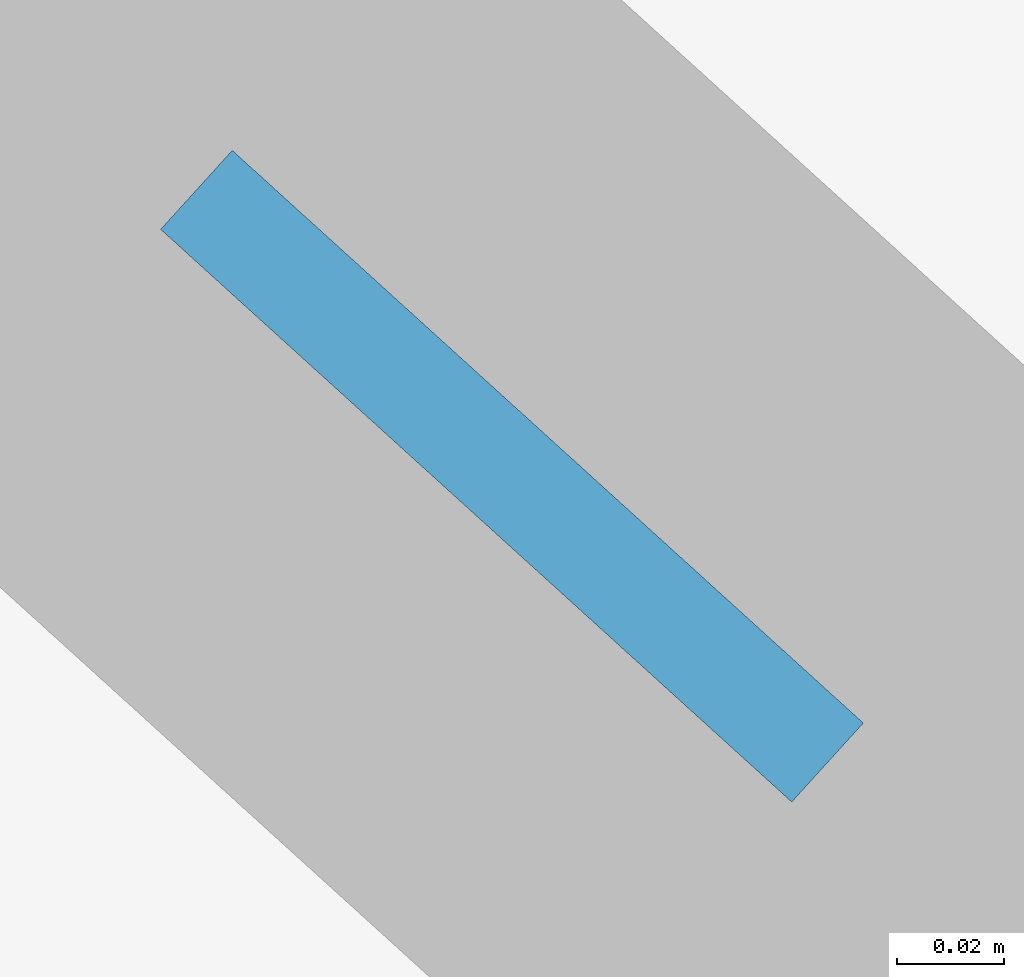
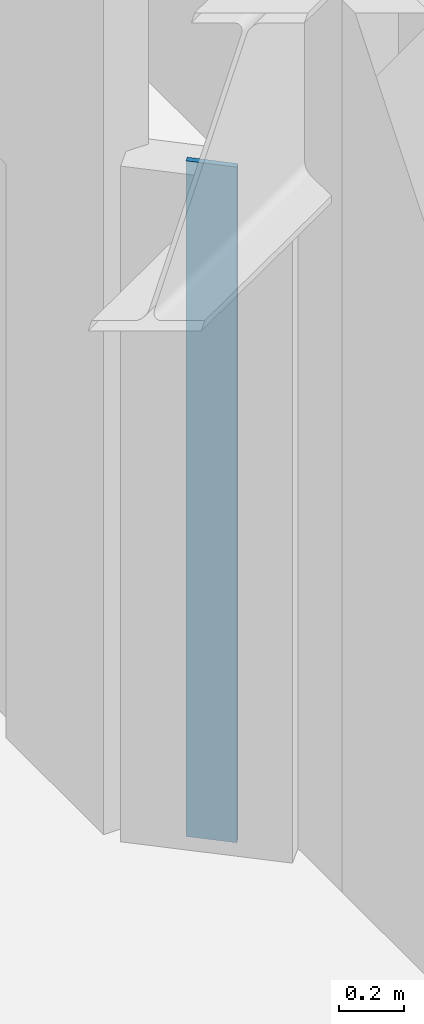
# One storey, part 2 of 9: 1 plate.
"""IFC4 building model written with IfcOpenShell, lengths in metres."""

import ifcopenshell
import ifcopenshell.guid

model = None  # the IFC model being written
_history = None  # IfcOwnerHistory: only IFC2X3 demands one
_inside = {}  # id of a spatial element -> (the spatial element, [elements in it])
_under = {}  # id of a project, library or spatial element -> (it, [spatial elements below it])
_declared = {}  # id of a project -> (the project, [libraries it declares])
_typed = {}  # id of a type object -> (the type object, [elements of that type])
_made_of = {}  # id of a material, layer set ... -> (it, [elements and type objects made of it])


def new_model(schema):
    """Start an empty IFC model of exactly this schema.

    Asked for "IFC4X3", IfcOpenShell would pick the latest addendum, in which some entities
    have other attributes; the version numbers below select the first issue.
    IFC2X3 requires an IfcOwnerHistory on every rooted entity: one is made here for all.
    """
    global model, _history
    if schema == "IFC4X3":
        model = ifcopenshell.file(schema_version=(4, 3, 0, 0))
    else:
        model = ifcopenshell.file(schema=schema)
    _inside.clear()
    _under.clear()
    _declared.clear()
    _typed.clear()
    _made_of.clear()
    _history = None
    if model.schema == "IFC2X3":
        org = make("IfcOrganization", Name="unknown")
        user = make(
            "IfcPersonAndOrganization",
            ThePerson=make("IfcPerson", FamilyName="unknown"),
            TheOrganization=org,
        )
        app = make(
            "IfcApplication",
            ApplicationDeveloper=org,
            Version="unknown",
            ApplicationFullName="unknown",
            ApplicationIdentifier="unknown",
        )
        _history = make(
            "IfcOwnerHistory",
            OwningUser=user,
            OwningApplication=app,
            ChangeAction="ADDED",
            CreationDate=0,
        )
    return model


def make(cls, **values):
    """One entity of the class cls with the attributes given. An attribute that is None is left unset."""
    return model.create_entity(
        cls, **{name: value for name, value in values.items() if value is not None}
    )


def rooted(cls, **values):
    """An entity with a GlobalId (a new one), such as an element, a storey or a relation."""
    return make(cls, GlobalId=ifcopenshell.guid.new(), OwnerHistory=_history, **values)


def si_unit(unit_type, name, prefix=None):
    """IfcSIUnit, for example si_unit("LENGTHUNIT", "METRE", prefix="MILLI")."""
    return make("IfcSIUnit", UnitType=unit_type, Prefix=prefix, Name=name)


def assignment(units):
    """IfcUnitAssignment: the units of a project."""
    return None if units is None else make("IfcUnitAssignment", Units=units)


def point(xyz):
    """IfcCartesianPoint."""
    return None if xyz is None else make("IfcCartesianPoint", Coordinates=xyz)


def direction(xyz):
    """IfcDirection."""
    return None if xyz is None else make("IfcDirection", DirectionRatios=xyz)


def frame(location, z_axis=None, x_axis=None):
    """IfcAxis2Placement3D, a coordinate frame: its origin and axes. An axis left out is left unset."""
    return make(
        "IfcAxis2Placement3D",
        Location=point(location),
        Axis=direction(z_axis),
        RefDirection=direction(x_axis),
    )


def frame_2d(location, x_axis=None):
    """IfcAxis2Placement2D, a coordinate frame in the plane: its origin and x axis."""
    return make(
        "IfcAxis2Placement2D", Location=point(location), RefDirection=direction(x_axis)
    )


def origin():
    """The frame at (0, 0, 0) with its axes left unset."""
    return frame((0.0, 0.0, 0.0))


def origin_2d():
    """The frame at (0, 0) in the plane with its x axis left unset."""
    return frame_2d((0.0, 0.0))


def place(relative_to, where):
    """IfcLocalPlacement: puts the frame where relative to a parent placement (None: the world)."""
    return make(
        "IfcLocalPlacement", PlacementRelTo=relative_to, RelativePlacement=where
    )


def context(
    kind, dimensions, precision=None, world=None, true_north=None, identifier=None
):
    """IfcGeometricRepresentationContext, for example the 3D "Model" context."""
    return make(
        "IfcGeometricRepresentationContext",
        ContextIdentifier=identifier,
        ContextType=kind,
        CoordinateSpaceDimension=dimensions,
        Precision=precision,
        WorldCoordinateSystem=world,
        TrueNorth=true_north,
    )


def subcontext(parent, identifier, kind, view, scale=None):
    """IfcGeometricRepresentationSubContext, for example "Body" below "Model"."""
    return make(
        "IfcGeometricRepresentationSubContext",
        ContextIdentifier=identifier,
        ContextType=kind,
        ParentContext=parent,
        TargetScale=scale,
        TargetView=view,
    )


def project(units=None, contexts=None):
    """IfcProject with its units and contexts."""
    return rooted(
        "IfcProject",
        Name="project",
        RepresentationContexts=contexts,
        UnitsInContext=assignment(units),
    )


def spatial(cls, under=None, at=None, **own):
    """A site, building, storey or space (cls), placed at a placement, below another one or the project."""
    s = rooted(cls, ObjectPlacement=at, **own)
    if under is not None:
        _under.setdefault(under.id(), (under, []))[1].append(s)
    return s


def profile(cls, at=None, kind="AREA", **sizes):
    """A parametric profile (cls). Its sizes go by their IFC names, for example OverallWidth=200.0."""
    return make(cls, ProfileType=kind, Position=at, **sizes)


def rectangle(**sizes):
    """IfcRectangleProfileDef."""
    return profile("IfcRectangleProfileDef", **sizes)


def extrude(swept, where, along, depth):
    """IfcExtrudedAreaSolid: the profile swept, set in the frame where, extruded along a direction by depth."""
    return make(
        "IfcExtrudedAreaSolid",
        SweptArea=swept,
        Position=where,
        ExtrudedDirection=direction(along),
        Depth=depth,
    )


def shape(context_of_items, identifier, shape_type, items):
    """IfcShapeRepresentation: the items that make up one representation, for example the "Body"."""
    return make(
        "IfcShapeRepresentation",
        ContextOfItems=context_of_items,
        RepresentationIdentifier=identifier,
        RepresentationType=shape_type,
        Items=items,
    )


def material(Name=None, Category=None):
    """IfcMaterial."""
    return make("IfcMaterial", Name=Name, Category=Category)


def layer(
    of_material, thickness, ventilated=None, Name=None, Category=None, Priority=None
):
    """IfcMaterialLayer: one layer of a wall or slab, of a material (None: an air gap)."""
    return make(
        "IfcMaterialLayer",
        Material=of_material,
        LayerThickness=thickness,
        IsVentilated=ventilated,
        Name=Name,
        Category=Category,
        Priority=Priority,
    )


def layer_set(layers, Name=None):
    """IfcMaterialLayerSet."""
    return make("IfcMaterialLayerSet", MaterialLayers=layers, LayerSetName=Name)


def made_of(thing, what):
    """Note that an element or type object is made of a material, layer set ...; save() writes the relation."""
    if what is not None:
        _made_of.setdefault(what.id(), (what, []))[1].append(thing)
    return thing


def type_object(cls, material=None, **own):
    """A type object (cls), such as IfcWallType, which elements share."""
    return made_of(rooted(cls, **own), material)


def element(
    cls,
    number,
    at=None,
    inside=None,
    cuts=None,
    type_object=None,
    material=None,
    context=None,
    identifier="Body",
    shape_type=None,
    held_by="IfcProductDefinitionShape",
    body=None,
    shapes=None,
    **own,
):
    """One element of the class cls, such as IfcWall. Its Tag is "e" and its number.

    at: its placement. inside: the storey or other place that contains it. cuts: it is an
    opening in that element (IfcRelVoidsElement). A single representation is given by context,
    identifier, shape_type and body (its items); several are given by shapes. held_by: the class
    of the entity that holds the representations. save() writes the other relations.
    """
    e = rooted(cls, Tag="e%d" % number, ObjectPlacement=at, **own)
    if body is not None:
        shapes = [shape(context, identifier, shape_type, body)]
    if shapes is not None:
        e.Representation = make(held_by, Representations=shapes)
    if inside is not None:
        _inside.setdefault(inside.id(), (inside, []))[1].append(e)
    if cuts is not None:
        rooted(
            "IfcRelVoidsElement", RelatingBuildingElement=cuts, RelatedOpeningElement=e
        )
    if type_object is not None:
        _typed.setdefault(type_object.id(), (type_object, []))[1].append(e)
    return made_of(e, material)


def aggregate(whole, parts):
    """IfcRelAggregates: a whole, such as a stair, and the parts it consists of."""
    return rooted("IfcRelAggregates", RelatingObject=whole, RelatedObjects=parts)


def save(model, path):
    """Write the relations noted so far, then the file.

    IfcRelAggregates (storeys below a building ...), IfcRelContainedInSpatialStructure (elements
    in a storey), IfcRelDefinesByType, IfcRelAssociatesMaterial and IfcRelDeclares: one each for
    every whole, place, type object, material and project.
    """
    for whole, parts in _under.values():
        aggregate(whole, parts)
    for where, things in _inside.values():
        rooted(
            "IfcRelContainedInSpatialStructure",
            RelatedElements=things,
            RelatingStructure=where,
        )
    for kind, things in _typed.values():
        rooted("IfcRelDefinesByType", RelatedObjects=things, RelatingType=kind)
    for what, things in _made_of.values():
        rooted("IfcRelAssociatesMaterial", RelatedObjects=things, RelatingMaterial=what)
    for by, libraries in _declared.values():
        rooted("IfcRelDeclares", RelatingContext=by, RelatedDefinitions=libraries)
    model.write(path)


model = new_model("IFC4")

# Units and contexts
model_context = context("Model", 3, precision=1e-05, world=origin(), true_north=direction((0.0, 1.0)))
body_context = subcontext(model_context, "Body", "Model", "MODEL_VIEW")
ifc_project = project(units=[si_unit("LENGTHUNIT", "METRE"), si_unit("AREAUNIT", "SQUARE_METRE"), si_unit("VOLUMEUNIT", "CUBIC_METRE"), si_unit("PLANEANGLEUNIT", "RADIAN"), si_unit("MASSUNIT", "GRAM", prefix="KILO")], contexts=[model_context])

# Site, building, storey
site_placement = place(None, origin())
site = spatial("IfcSite", under=ifc_project, at=site_placement, CompositionType="ELEMENT")
building_placement = place(site_placement, origin())
building = spatial("IfcBuilding", under=site, at=building_placement, Name="Miruveldt Soraemaru", CompositionType="ELEMENT")
storey_placement = place(building_placement, frame((0.0, 0.0, 244.800048828125)))
storey = spatial("IfcBuildingStorey", under=building, at=storey_placement, Name="L67", CompositionType="ELEMENT", Elevation=244.800048828125)

# Plate
ifc_material = material(Name="Anodised aluminium EN AW-6063 T6", Category="aluminium")
ifc_layer = layer(ifc_material, 0.02001953125, Name="Anodised aluminium EN AW-6063 T6", Category="aluminium")
ifc_layer_set = layer_set([ifc_layer], Name="Anodised aluminium EN AW-6063 T6")
plate_type = type_object("IfcPlateType", Name="PLT-PART-TRIM", PredefinedType="SHEET", material=ifc_layer_set)
plate_placement = place(storey_placement, frame((35.14990234375, 52.87158203125, 0.0), z_axis=(0.0, 0.0, 1.0), x_axis=(0.74057007644, -0.671979137981, 0.0)))
element("IfcPlate", 1, at=plate_placement, inside=storey, type_object=plate_type, Name="L67 Partition Step Corner Trim Plate 001", PredefinedType="SHEET", context=body_context, shape_type="SweptSolid", body=[
    extrude(rectangle(XDim=0.159912109375, YDim=0.02001953125, at=origin_2d()), origin(), (0.0, 0.0, 1.0), 2.532958984375),
])

save(model, "model.ifc")
